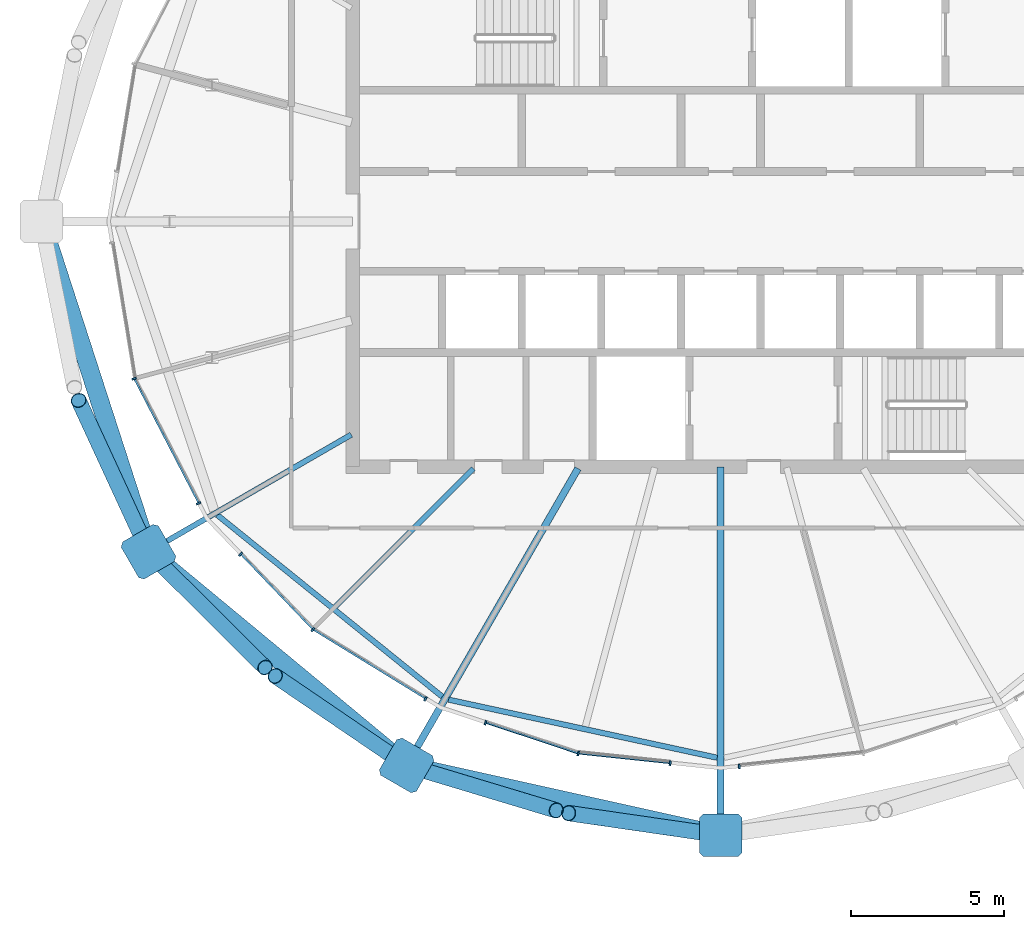
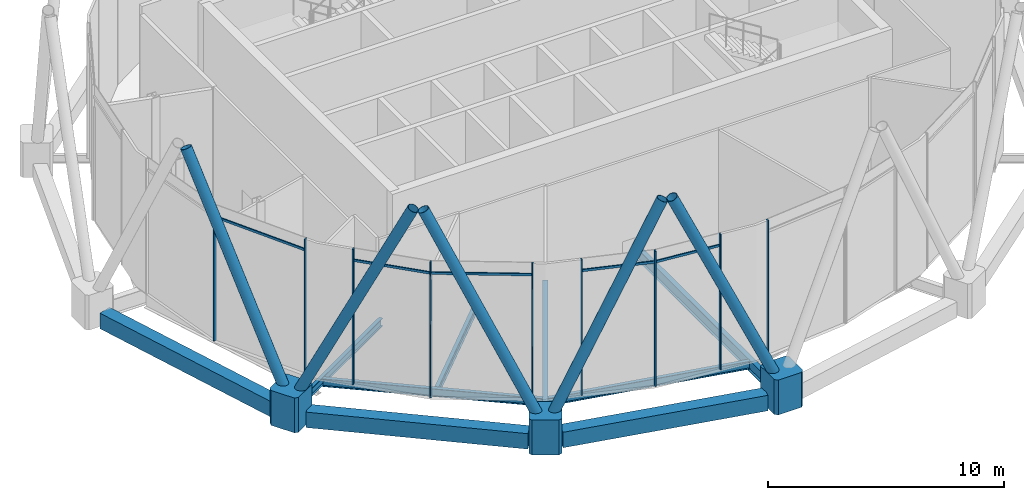
# One storey, part 3 of 28: 22 members, 9 beams, 1 element without a shape of its own.
"""IFC4 building model written with IfcOpenShell, lengths in metres."""

from ifc_helpers import new_model, si_unit, direction, frame, origin, origin_2d, place, context, subcontext, project, spatial, polyline, rectangle, hollow_rectangle, hollow_circle, i_section, outline, extrude, material, material_profile, profile_set, type_object, element, aggregate, save


model = new_model("IFC4")

# Units and contexts
model_context = context("Model", 3, precision=1e-05, world=origin(), true_north=direction((0.0, 1.0)))
body_context = subcontext(model_context, "Body", "Model", "MODEL_VIEW")
ifc_project = project(units=[si_unit("LENGTHUNIT", "METRE"), si_unit("AREAUNIT", "SQUARE_METRE"), si_unit("VOLUMEUNIT", "CUBIC_METRE"), si_unit("PLANEANGLEUNIT", "RADIAN"), si_unit("MASSUNIT", "GRAM", prefix="KILO")], contexts=[model_context])

# Site, building, storey
site_placement = place(None, origin())
site = spatial("IfcSite", under=ifc_project, at=site_placement, CompositionType="ELEMENT")
building_placement = place(site_placement, origin())
building = spatial("IfcBuilding", under=site, at=building_placement, Name="Rimbun Link Towers", CompositionType="ELEMENT")
storey_placement = place(building_placement, frame((0.0, 0.0, 256.10009765625)))
storey = spatial("IfcBuildingStorey", under=building, at=storey_placement, Name="L63", CompositionType="ELEMENT", Elevation=256.10009765625)

# Curtain wall, members
ifc_material_1 = material(Name="Aluminium 6063-T6 and low-iron glass", Category="aluminium")
curtain_wall_type = type_object("IfcCurtainWallType", Name="CW5 full height lobby wall", PredefinedType="NOTDEFINED", material=ifc_material_1)
curtain_wall_placement = place(storey_placement, origin())
curtain_wall = element("IfcCurtainWall", 1, at=curtain_wall_placement, inside=storey, type_object=curtain_wall_type, Name="CW5 L63 T1", PredefinedType="NOTDEFINED")
ifc_material_2 = material(Name="Aluminium 6063-T6", Category="aluminium")
ifc_material_profile_1 = material_profile(ifc_material_2, rectangle(XDim=0.14990234375, YDim=0.06005859375, at=origin_2d()), Name="MULLION 60X150")
ifc_profile_set_1 = profile_set([ifc_material_profile_1], Name="Aluminium 6063-T6")
member_type_1 = type_object("IfcMemberType", Name="CW5 mullion 60X150", PredefinedType="MULLION", material=ifc_profile_set_1)
member_1_placement = place(storey_placement, frame((-50.877685546875, -5.1298828125, 0.0), z_axis=(0.0, 0.0, 1.0), x_axis=(-0.949163280594, -0.314784159024, 0.0)))
member_1 = element("IfcMember", 2, at=member_1_placement, type_object=member_type_1, Name="CW5 mullion", PredefinedType="MULLION", context=body_context, shape_type="SweptSolid", body=[
    extrude(rectangle(XDim=0.14990234375, YDim=0.06005859375, at=origin_2d()), origin(), (0.0, 0.0, 1.0), 7.0),
])
member_2_placement = place(storey_placement, frame((-48.77685546875, -9.19189453125, 0.0), z_axis=(0.0, 0.0, 1.0), x_axis=(-0.888151565285, -0.459550646917, 0.0)))
member_2 = element("IfcMember", 3, at=member_2_placement, type_object=member_type_1, Name="CW5 mullion", PredefinedType="MULLION", context=body_context, shape_type="SweptSolid", body=[
    extrude(rectangle(XDim=0.14990234375, YDim=0.06005859375, at=origin_2d()), origin(), (0.0, 0.0, 1.0), 7.0),
])
member_3_placement = place(storey_placement, frame((-45.048095703125, -13.3095703125, 0.0), z_axis=(0.0, 0.0, 1.0), x_axis=(-0.627673907334, -0.778476374755, 0.0)))
member_3 = element("IfcMember", 4, at=member_3_placement, type_object=member_type_1, Name="CW5 mullion", PredefinedType="MULLION", context=body_context, shape_type="SweptSolid", body=[
    extrude(rectangle(XDim=0.14990234375, YDim=0.06005859375, at=origin_2d()), origin(), (0.0, 0.0, 1.0), 7.0),
])
member_4_placement = place(storey_placement, frame((-47.404296875, -10.852783203125, 0.0), z_axis=(0.0, 0.0, 1.0), x_axis=(-0.721846906045, -0.692052775613, 0.0)))
member_4 = element("IfcMember", 5, at=member_4_placement, type_object=member_type_1, Name="CW5 mullion", PredefinedType="MULLION", context=body_context, shape_type="SweptSolid", body=[
    extrude(rectangle(XDim=0.14990234375, YDim=0.06005859375, at=origin_2d()), origin(), (0.0, 0.0, 1.0), 7.0),
])
member_5_placement = place(storey_placement, frame((-41.374267578125, -15.56591796875, 0.0), z_axis=(0.0, 0.0, 1.0), x_axis=(-0.523246228321, -0.85218154436, 0.0)))
member_5 = element("IfcMember", 6, at=member_5_placement, type_object=member_type_1, Name="CW5 mullion", PredefinedType="MULLION", context=body_context, shape_type="SweptSolid", body=[
    extrude(rectangle(XDim=0.14990234375, YDim=0.06005859375, at=origin_2d()), origin(), (0.0, 0.0, 1.0), 7.0),
])
member_6_placement = place(storey_placement, frame((-36.39501953125, -17.35009765625, 0.0), z_axis=(0.0, 0.0, 1.0), x_axis=(-0.210861265899, -0.977515998101, 0.0)))
member_6 = element("IfcMember", 7, at=member_6_placement, type_object=member_type_1, Name="CW5 mullion", PredefinedType="MULLION", context=body_context, shape_type="SweptSolid", body=[
    extrude(rectangle(XDim=0.14990234375, YDim=0.06005859375, at=origin_2d()), origin(), (0.0, 0.0, 1.0), 7.0),
])
member_7_placement = place(storey_placement, frame((-39.41845703125, -16.3486328125, 0.0), z_axis=(0.0, 0.0, 1.0), x_axis=(-0.314558123546, -0.949238213997, 0.0)))
member_7 = element("IfcMember", 8, at=member_7_placement, type_object=member_type_1, Name="CW5 mullion", PredefinedType="MULLION", context=body_context, shape_type="SweptSolid", body=[
    extrude(rectangle(XDim=0.14990234375, YDim=0.06005859375, at=origin_2d()), origin(), (0.0, 0.0, 1.0), 7.0),
])
member_8_placement = place(storey_placement, frame((-33.398681640625, -17.666015625, 0.0), z_axis=(0.0, 0.0, 1.0), x_axis=(-0.104728397345, -0.994500861131, 0.0)))
member_8 = element("IfcMember", 9, at=member_8_placement, type_object=member_type_1, Name="CW5 mullion", PredefinedType="MULLION", context=body_context, shape_type="SweptSolid", body=[
    extrude(rectangle(XDim=0.14990234375, YDim=0.06005859375, at=origin_2d()), origin(), (0.0, 0.0, 1.0), 7.0),
])
member_9_placement = place(storey_placement, frame((-31.1455078125, -17.776123046875, 0.0), z_axis=(0.0, 0.0, 1.0), x_axis=(0.104728397345, -0.994500861131, 0.0)))
member_9 = element("IfcMember", 10, at=member_9_placement, type_object=member_type_1, Name="CW5 mullion", PredefinedType="MULLION", context=body_context, shape_type="SweptSolid", body=[
    extrude(rectangle(XDim=0.14990234375, YDim=0.06005859375, at=origin_2d()), origin(), (0.0, 0.0, 1.0), 7.0),
])
ifc_material_3 = material(Name="Aluminium 6063-T6", Category="aluminium")
ifc_material_profile_2 = material_profile(ifc_material_3, rectangle(XDim=0.06005859375, YDim=0.1201171875, at=origin_2d()), Name="TRANSOM 60X120")
ifc_profile_set_2 = profile_set([ifc_material_profile_2], Name="Aluminium 6063-T6")
member_type_2 = type_object("IfcMemberType", Name="CW5 transom 60X120", PredefinedType="USERDEFINED", material=ifc_profile_set_2)
member_10_placement = place(storey_placement, frame((-48.779052734375, -9.159423828125, 6.39990234375), z_axis=(-0.459536524537, 0.888158872396, 0.0), x_axis=(-0.888158872396, -0.459536524537, 0.0)))
member_10 = element("IfcMember", 11, at=member_10_placement, type_object=member_type_2, Name="CW5 transom", ObjectType="TRANSOM", PredefinedType="USERDEFINED", context=body_context, shape_type="SweptSolid", body=[
    extrude(rectangle(XDim=0.06005859375, YDim=0.1201171875, at=origin_2d()), origin(), (0.0, 0.0, 1.0), 4.50146484375),
])
member_11_placement = place(storey_placement, frame((-45.066650390625, -13.2724609375, 6.39990234375), z_axis=(-0.692011907201, 0.721886085398, 0.0), x_axis=(-0.721886085398, -0.692011907201, 0.0)))
member_11 = element("IfcMember", 12, at=member_11_placement, type_object=member_type_2, Name="CW5 transom", ObjectType="TRANSOM", PredefinedType="USERDEFINED", context=body_context, shape_type="SweptSolid", body=[
    extrude(rectangle(XDim=0.06005859375, YDim=0.1201171875, at=origin_2d()), origin(), (0.0, 0.0, 1.0), 3.334228515625),
])
member_12_placement = place(storey_placement, frame((-41.39306640625, -15.539306640625, 6.39990234375), z_axis=(-0.852171675946, 0.523262300108, 0.0), x_axis=(-0.523262300108, -0.852171675946, 0.0)))
member_12 = element("IfcMember", 13, at=member_12_placement, type_object=member_type_2, Name="CW5 transom", ObjectType="TRANSOM", PredefinedType="USERDEFINED", context=body_context, shape_type="SweptSolid", body=[
    extrude(rectangle(XDim=0.06005859375, YDim=0.1201171875, at=origin_2d()), origin(), (0.0, 0.0, 1.0), 4.2421875),
])
member_13_placement = place(storey_placement, frame((-36.42724609375, -17.326171875, 6.39990234375), z_axis=(-0.949237948688, 0.314558924163, 0.0), x_axis=(-0.314558924163, -0.949237948688, 0.0)))
member_13 = element("IfcMember", 14, at=member_13_placement, type_object=member_type_2, Name="CW5 transom", ObjectType="TRANSOM", PredefinedType="USERDEFINED", context=body_context, shape_type="SweptSolid", body=[
    extrude(rectangle(XDim=0.06005859375, YDim=0.1201171875, at=origin_2d()), origin(), (0.0, 0.0, 1.0), 3.116943359375),
])
member_14_placement = place(storey_placement, frame((-33.42724609375, -17.64990234375, 6.39990234375), z_axis=(-0.994503181375, 0.10470636196, 0.0), x_axis=(-0.10470636196, -0.994503181375, 0.0)))
member_14 = element("IfcMember", 15, at=member_14_placement, type_object=member_type_2, Name="CW5 transom", ObjectType="TRANSOM", PredefinedType="USERDEFINED", context=body_context, shape_type="SweptSolid", body=[
    extrude(rectangle(XDim=0.06005859375, YDim=0.1201171875, at=origin_2d()), origin(), (0.0, 0.0, 1.0), 2.94482421875),
])
aggregate(curtain_wall, [member_1, member_2, member_3, member_4, member_5, member_6, member_7, member_8, member_9, member_10, member_11, member_12, member_13, member_14])

# Members
ifc_material_4 = material(Name="Steel S355J2H", Category="steel")
ifc_material_profile_3 = material_profile(ifc_material_4, hollow_circle(Radius=0.25390625, WallThickness=0.02001953125, at=origin_2d()), Name="Diagrid diagonal CHS 508x20")
ifc_profile_set_3 = profile_set([ifc_material_profile_3], Name="Steel S355J2H")
member_type_3 = type_object("IfcMemberType", Name="Diagrid diagonal CHS 508x20", PredefinedType="BRACE", material=ifc_profile_set_3)
member_15_placement = place(storey_placement, frame((-50.498291015625, -10.570556640625, 0.448486328125), z_axis=(-0.185020958526, 0.400785768117, 0.897294830578), x_axis=(-0.907922393639, -0.419138315034, 0.0)))
element("IfcMember", 16, at=member_15_placement, inside=storey, type_object=member_type_3, Name="Diagrid diagonal T1 L63-L65 14a", PredefinedType="BRACE", context=body_context, shape_type="SweptSolid", body=[
    extrude(hollow_circle(Radius=0.25390625, WallThickness=0.02001953125, at=origin_2d()), origin(), (0.0, 0.0, 1.0), 11.81640625),
])
member_16_placement = place(storey_placement, frame((-50.251220703125, -10.9248046875, 0.44970703125), z_axis=(0.309453031565, -0.307504961315, 0.899821937953), x_axis=(0.704870548634, 0.70933596389, 0.0)))
element("IfcMember", 17, at=member_16_placement, inside=storey, type_object=member_type_3, Name="Diagrid diagonal T1 L63-L65 14b", PredefinedType="BRACE", context=body_context, shape_type="SweptSolid", body=[
    extrude(hollow_circle(Radius=0.25390625, WallThickness=0.02001953125, at=origin_2d()), origin(), (0.0, 0.0, 1.0), 11.780517578125),
])
member_17_placement = place(storey_placement, frame((-42.166748046875, -17.618896484375, 0.45263671875), z_axis=(-0.351103105686, 0.239096416771, 0.905295262699), x_axis=(-0.562867368721, -0.826547231094, 0.0)))
element("IfcMember", 18, at=member_17_placement, inside=storey, type_object=member_type_3, Name="Diagrid diagonal T1 L63-L65 16a", PredefinedType="BRACE", context=body_context, shape_type="SweptSolid", body=[
    extrude(hollow_circle(Radius=0.25390625, WallThickness=0.02001953125, at=origin_2d()), origin(), (0.0, 0.0, 1.0), 11.702880859375),
])
member_18_placement = place(storey_placement, frame((-41.790771484375, -17.798583984375, 0.453857421875), z_axis=(0.401051097621, -0.120664870194, 0.908073788961), x_axis=(0.288113485997, 0.957596271498, 0.0)))
element("IfcMember", 19, at=member_18_placement, inside=storey, type_object=member_type_3, Name="Diagrid diagonal T1 L63-L65 16b", PredefinedType="BRACE", context=body_context, shape_type="SweptSolid", body=[
    extrude(hollow_circle(Radius=0.25390625, WallThickness=0.02001953125, at=origin_2d()), origin(), (0.0, 0.0, 1.0), 11.664306640625),
])
member_19_placement = place(storey_placement, frame((-31.954345703125, -19.984619140625, 0.455322265625), z_axis=(-0.408818164233, 0.059230447399, 0.910691749548), x_axis=(-0.143385061898, -0.989666976323, 0.0)))
element("IfcMember", 20, at=member_19_placement, inside=storey, type_object=member_type_3, Name="Diagrid diagonal T1 L63-L65 18a", PredefinedType="BRACE", context=body_context, shape_type="SweptSolid", body=[
    extrude(hollow_circle(Radius=0.25390625, WallThickness=0.02001953125, at=origin_2d()), origin(), (0.0, 0.0, 1.0), 11.6279296875),
])
ifc_material_5 = material(Name="Cast steel G20Mn5+QT, Rp0.2 300 MPa", Category="steel")
ifc_material_profile_4 = material_profile(ifc_material_5, outline(polyline([(0.699951171875, -0.570068359375), (0.699951171875, 0.570068359375), (0.570068359375, 0.699951171875), (-0.570068359375, 0.699951171875), (-0.699951171875, 0.570068359375), (-0.699951171875, -0.570068359375), (-0.570068359375, -0.699951171875), (0.570068359375, -0.699951171875), (0.699951171875, -0.570068359375)])), Name="NODE 1400x1400")
ifc_profile_set_4 = profile_set([ifc_material_profile_4], Name="Cast steel G20Mn5+QT, Rp0.2 300 MPa")
member_type_4 = type_object("IfcMemberType", Name="Diagrid node cast 1400", PredefinedType="USERDEFINED", material=ifc_profile_set_4)
for number, where, z_axis, x_axis, name in (
    (21, (-50.406005859375, -10.77099609375, -0.900146484375), (0.0, 0.0, 1.0), (-0.866025403784, -0.5, 0.0), "Diagrid node L63 14"),
    (22, (-41.9912109375, -17.73828125, -0.900146484375), (0.0, 0.0, 1.0), (-0.5, -0.866025403784, 0.0), "Diagrid node L63 16"),
    (23, (-31.75, -20.014404296875, -0.900146484375), (0.0, 0.0, 1.0), (0.0, -1.0, 0.0), "Diagrid node L63 18"),
):
    element("IfcMember", number, at=place(storey_placement, frame(where, z_axis=z_axis, x_axis=x_axis)), inside=storey, type_object=member_type_4, Name=name, ObjectType="Diagrid node", PredefinedType="USERDEFINED", context=body_context, shape_type="SweptSolid", body=[
        extrude(outline(polyline([(0.699951171875, -0.570068359375), (0.699951171875, 0.570068359375), (0.570068359375, 0.699951171875), (-0.570068359375, 0.699951171875), (-0.699951171875, 0.570068359375), (-0.699951171875, -0.570068359375), (-0.570068359375, -0.699951171875), (0.570068359375, -0.699951171875), (0.699951171875, -0.570068359375)])), origin(), (0.0, 0.0, 1.0), 1.800048828125),
    ])

# Beams
ifc_material_6 = material(Name="Steel S355J2", Category="steel")
ifc_material_profile_5 = material_profile(ifc_material_6, hollow_rectangle(XDim=0.60009765625, YDim=0.800048828125, WallThickness=0.0400390625, at=origin_2d()), Name="Exoskeleton ring girder BOX 600x800x40")
ifc_profile_set_5 = profile_set([ifc_material_profile_5], Name="Steel S355J2")
beam_type_1 = type_object("IfcBeamType", Name="Exoskeleton ring girder BOX 600x800x40", PredefinedType="BEAM", material=ifc_profile_set_5)
beam_1_placement = place(storey_placement, frame((-53.68017578125, -0.666015625, -0.56005859375), z_axis=(0.308259184516, -0.951302409942, 0.0), x_axis=(0.951302409942, 0.308259184516, 0.0)))
element("IfcBeam", 24, at=beam_1_placement, inside=storey, type_object=beam_type_1, Name="Exoskeleton ring girder L63 06", PredefinedType="BEAM", context=body_context, shape_type="SweptSolid", body=[
    extrude(hollow_rectangle(XDim=0.60009765625, YDim=0.800048828125, WallThickness=0.0400390625, at=origin_2d()), origin(), (0.0, 0.0, 1.0), 9.922119140625),
])
beam_2_placement = place(storey_placement, frame((-49.86669921875, -11.21728515625, -0.56005859375), z_axis=(0.770219769498, -0.637778571821, 0.0), x_axis=(0.637778571821, 0.770219769498, 0.0)))
element("IfcBeam", 25, at=beam_2_placement, inside=storey, type_object=beam_type_1, Name="Exoskeleton ring girder L63 07", PredefinedType="BEAM", context=body_context, shape_type="SweptSolid", body=[
    extrude(hollow_rectangle(XDim=0.60009765625, YDim=0.800048828125, WallThickness=0.0400390625, at=origin_2d()), origin(), (0.0, 0.0, 1.0), 9.52490234375),
])
beam_3_placement = place(storey_placement, frame((-41.30810546875, -17.890380859375, -0.56005859375), z_axis=(0.976192746712, -0.216904866859, 0.0), x_axis=(0.216904866859, 0.976192746712, 0.0)))
element("IfcBeam", 26, at=beam_3_placement, inside=storey, type_object=beam_type_1, Name="Exoskeleton ring girder L63 08", PredefinedType="BEAM", context=body_context, shape_type="SweptSolid", body=[
    extrude(hollow_rectangle(XDim=0.60009765625, YDim=0.800048828125, WallThickness=0.0400390625, at=origin_2d()), origin(), (0.0, 0.0, 1.0), 9.09130859375),
])
ifc_material_7 = material(Name="Steel S355J2", Category="steel")
ifc_material_profile_6 = material_profile(ifc_material_7, i_section(OverallWidth=0.177978515625, OverallDepth=0.406494140625, WebThickness=0.0078125, FlangeThickness=0.0126953125, at=origin_2d()), Name="UB 406x178x60")
ifc_profile_set_6 = profile_set([ifc_material_profile_6], Name="Steel S355J2")
beam_type_2 = type_object("IfcBeamType", Name="UB 406x178x60", PredefinedType="BEAM", material=ifc_profile_set_6)
beam_4_placement = place(storey_placement, frame((-43.79541015625, -6.954345703125, -0.38330078125), z_axis=(-0.866020866682, -0.50000785841, 0.0), x_axis=(0.50000785841, -0.866020866682, 0.0)))
element("IfcBeam", 27, at=beam_4_placement, inside=storey, type_object=beam_type_2, Name="Radial beam T1 L63 14", PredefinedType="BEAM", context=body_context, shape_type="SweptSolid", body=[
    extrude(i_section(OverallWidth=0.177978515625, OverallDepth=0.406494140625, WebThickness=0.0078125, FlangeThickness=0.0126953125, at=origin_2d()), origin(), (0.0, 0.0, 1.0), 7.13330078125),
])
beam_5_placement = place(storey_placement, frame((-39.813720703125, -8.063720703125, -0.38330078125), z_axis=(-0.707106781187, -0.707106781187, 0.0), x_axis=(0.707106781187, -0.707106781187, 0.0)))
element("IfcBeam", 28, at=beam_5_placement, inside=storey, type_object=beam_type_2, Name="Radial beam T1 L63 15", PredefinedType="BEAM", context=body_context, shape_type="SweptSolid", body=[
    extrude(i_section(OverallWidth=0.177978515625, OverallDepth=0.406494140625, WebThickness=0.0078125, FlangeThickness=0.0126953125, at=origin_2d()), origin(), (0.0, 0.0, 1.0), 6.366455078125),
])
beam_6_placement = place(storey_placement, frame((-48.159423828125, -9.577880859375, -0.38330078125), z_axis=(0.778080013236, -0.628165179712, 0.0), x_axis=(0.628165179712, 0.778080013236, 0.0)))
element("IfcBeam", 29, at=beam_6_placement, inside=storey, type_object=beam_type_2, Name="Edge beam T1 L63 14-16", PredefinedType="BEAM", context=body_context, shape_type="SweptSolid", body=[
    extrude(i_section(OverallWidth=0.177978515625, OverallDepth=0.406494140625, WebThickness=0.0078125, FlangeThickness=0.0126953125, at=origin_2d()), origin(), (0.0, 0.0, 1.0), 9.421142578125),
])
beam_7_placement = place(storey_placement, frame((-40.620849609375, -15.59423828125, -0.38330078125), z_axis=(0.977400622906, -0.211395417033, 0.0), x_axis=(0.211395417033, 0.977400622906, 0.0)))
element("IfcBeam", 30, at=beam_7_placement, inside=storey, type_object=beam_type_2, Name="Edge beam T1 L63 16-18", PredefinedType="BEAM", context=body_context, shape_type="SweptSolid", body=[
    extrude(i_section(OverallWidth=0.177978515625, OverallDepth=0.406494140625, WebThickness=0.0078125, FlangeThickness=0.0126953125, at=origin_2d()), origin(), (0.0, 0.0, 1.0), 8.95849609375),
])
ifc_material_8 = material(Name="Steel S355J2", Category="steel")
ifc_material_profile_7 = material_profile(ifc_material_8, i_section(OverallWidth=0.2275390625, OverallDepth=0.6025390625, WebThickness=0.010498046875, FlangeThickness=0.014892578125, at=origin_2d()), Name="UB 610x229x101")
ifc_profile_set_7 = profile_set([ifc_material_profile_7], Name="Steel S355J2")
beam_type_3 = type_object("IfcBeamType", Name="UB 610x229x101", PredefinedType="BEAM", material=ifc_profile_set_7)
beam_8_placement = place(storey_placement, frame((-36.402099609375, -8.057861328125, -0.4814453125), z_axis=(-0.500002169237, -0.866024151371, 0.0), x_axis=(0.866024151371, -0.500002169237, 0.0)))
element("IfcBeam", 31, at=beam_8_placement, inside=storey, type_object=beam_type_3, Name="Radial beam T1 L63 16", PredefinedType="BEAM", context=body_context, shape_type="SweptSolid", body=[
    extrude(i_section(OverallWidth=0.2275390625, OverallDepth=0.6025390625, WebThickness=0.010498046875, FlangeThickness=0.014892578125, at=origin_2d()), origin(), (0.0, 0.0, 1.0), 10.67822265625),
])
beam_9_placement = place(storey_placement, frame((-31.75, -8.0009765625, -0.4814453125), z_axis=(0.0, -1.0, 0.0), x_axis=(1.0, 0.0, 0.0)))
element("IfcBeam", 32, at=beam_9_placement, inside=storey, type_object=beam_type_3, Name="Radial beam T1 L63 18", PredefinedType="BEAM", context=body_context, shape_type="SweptSolid", body=[
    extrude(i_section(OverallWidth=0.2275390625, OverallDepth=0.6025390625, WebThickness=0.010498046875, FlangeThickness=0.014892578125, at=origin_2d()), origin(), (0.0, 0.0, 1.0), 11.513427734375),
])

save(model, "model.ifc")
